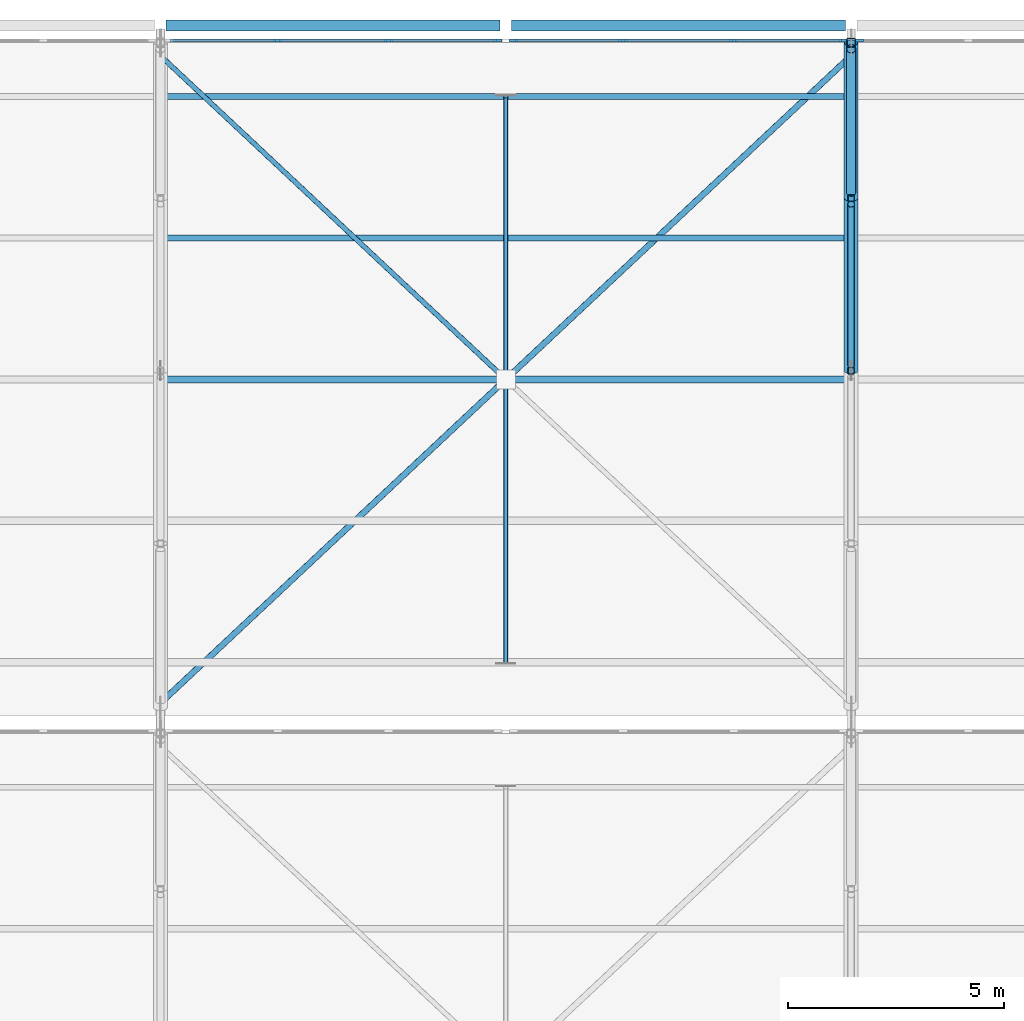
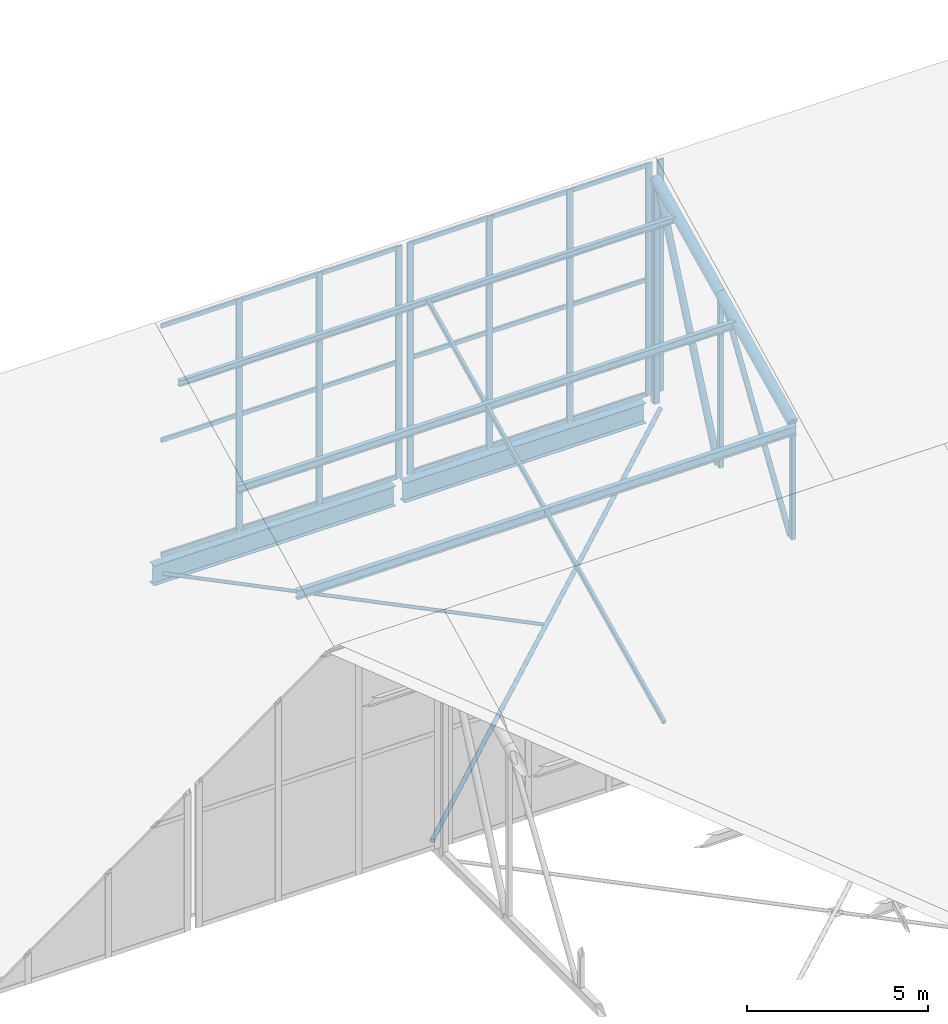
# One storey, part 52 of 137: 36 members, 5 beams, 3 elements without a shape of their own.
"""IFC4 building model written with IfcOpenShell, lengths in metres."""

from ifc_helpers import new_model, si_unit, direction, frame, origin, origin_2d, place, context, subcontext, project, spatial, rectangle, hollow_rectangle, hollow_circle, i_section, extrude, material, layer, layer_set, material_profile, profile_set, type_object, element, aggregate, save


model = new_model("IFC4")

# Units and contexts
model_context = context("Model", 3, precision=1e-05, world=origin(), true_north=direction((0.0, 1.0)))
body_context = subcontext(model_context, "Body", "Model", "MODEL_VIEW")
ifc_project = project(units=[si_unit("LENGTHUNIT", "METRE"), si_unit("AREAUNIT", "SQUARE_METRE"), si_unit("VOLUMEUNIT", "CUBIC_METRE"), si_unit("PLANEANGLEUNIT", "RADIAN"), si_unit("MASSUNIT", "GRAM", prefix="KILO")], contexts=[model_context])

# Site, building, storey
site_placement = place(None, origin())
site = spatial("IfcSite", under=ifc_project, at=site_placement, CompositionType="ELEMENT")
building_placement = place(site_placement, origin())
building = spatial("IfcBuilding", under=site, at=building_placement, Name="Jelvoka-Kovrelna Polytechnic", CompositionType="ELEMENT")
storey_placement = place(building_placement, frame((0.0, 0.0, 9.60009765625)))
storey = spatial("IfcBuildingStorey", under=building, at=storey_placement, Name="L03", CompositionType="ELEMENT", Elevation=9.60009765625)

# Beams
ifc_material_1 = material(Name="Structural steel S355JR", Category="steel")
ifc_material_profile_1 = material_profile(ifc_material_1, i_section(OverallWidth=0.2529296875, OverallDepth=0.677978515625, WebThickness=0.01171875, FlangeThickness=0.01611328125, FilletRadius=0.01513671875, at=origin_2d()), Name="686x254x125 UB")
ifc_profile_set_1 = profile_set([ifc_material_profile_1], Name="Structural steel S355JR")
beam_type_1 = type_object("IfcBeamType", Name="Girder_Steel_UB686", PredefinedType="BEAM", material=ifc_profile_set_1)
beam_1_placement = place(storey_placement, frame((120.132568359375, 120.0, -0.34912109375), z_axis=(1.0, 0.0, 0.0), x_axis=(0.0, 1.0, 0.0)))
element("IfcBeam", 1, at=beam_1_placement, inside=storey, type_object=beam_type_1, Name="L03 beam 0098", PredefinedType="BEAM", context=body_context, shape_type="SweptSolid", body=[
    extrude(i_section(OverallWidth=0.2529296875, OverallDepth=0.677978515625, WebThickness=0.01171875, FlangeThickness=0.01611328125, FilletRadius=0.01513671875, at=origin_2d()), origin(), (0.0, 0.0, 1.0), 7.73486328125),
])
beam_2_placement = place(storey_placement, frame((128.1328125, 120.0, -0.34912109375), z_axis=(1.0, 0.0, 0.0), x_axis=(0.0, 1.0, 0.0)))
element("IfcBeam", 2, at=beam_2_placement, inside=storey, type_object=beam_type_1, Name="L03 beam 0100", PredefinedType="BEAM", context=body_context, shape_type="SweptSolid", body=[
    extrude(i_section(OverallWidth=0.2529296875, OverallDepth=0.677978515625, WebThickness=0.01171875, FlangeThickness=0.01611328125, FilletRadius=0.01513671875, at=origin_2d()), origin(), (0.0, 0.0, 1.0), 7.734375),
])

# Members
ifc_material_2 = material(Name="Structural steel S355J2H", Category="steel")
ifc_material_profile_2 = material_profile(ifc_material_2, hollow_circle(Radius=0.05712890625, WallThickness=0.00634765625, at=origin_2d()), Name="114.3x6.3 CHS")
ifc_profile_set_2 = profile_set([ifc_material_profile_2], Name="Structural steel S355J2H")
member_type_1 = type_object("IfcMemberType", Name="Member_Brace_CHS114", PredefinedType="BRACE", material=ifc_profile_set_2)
member_1_placement = place(storey_placement, frame((120.050048828125, 119.25, 0.14990234375), z_axis=(0.729679522085, -0.683789291412, 0.0), x_axis=(0.683789291412, 0.729679522085, 0.0)))
element("IfcMember", 3, at=member_1_placement, inside=storey, type_object=member_type_1, Name="Sawtooth roof split X-brace half-diagonal 0214", PredefinedType="BRACE", context=body_context, shape_type="SweptSolid", body=[
    extrude(hollow_circle(Radius=0.05712890625, WallThickness=0.00634765625, at=origin_2d()), origin(), (0.0, 0.0, 1.0), 10.80517578125),
])
ifc_material_3 = material(Name="Structural steel S355J2H", Category="steel")
ifc_material_profile_3 = material_profile(ifc_material_3, hollow_circle(Radius=0.06982421875, WallThickness=0.00634765625, at=origin_2d()), Name="139.7x6.3 CHS")
ifc_profile_set_3 = profile_set([ifc_material_profile_3], Name="Structural steel S355J2H")
member_type_2 = type_object("IfcMemberType", Name="Member_Brace_CHS140", PredefinedType="BRACE", material=ifc_profile_set_3)
member_2_placement = place(storey_placement, frame((120.050048828125, 104.35009765625, 0.14990234375), z_axis=(0.72968044266, 0.683788309055, 0.0), x_axis=(-0.683788309055, 0.72968044266, 0.0)))
element("IfcMember", 4, at=member_2_placement, inside=storey, type_object=member_type_2, Name="Sawtooth roof continuous X-brace 0213", PredefinedType="BRACE", context=body_context, shape_type="SweptSolid", body=[
    extrude(hollow_circle(Radius=0.06982421875, WallThickness=0.00634765625, at=origin_2d()), origin(), (0.0, 0.0, 1.0), 21.790283203125),
])
ifc_material_4 = material(Name="Structural steel S355J2H", Category="steel")
ifc_material_profile_4 = material_profile(ifc_material_4, hollow_circle(Radius=0.084228515625, WallThickness=0.008056640625, at=origin_2d()), Name="168.3x8.0 CHS")
ifc_profile_set_4 = profile_set([ifc_material_profile_4], Name="Structural steel S355J2H")
member_type_3 = type_object("IfcMemberType", Name="Member_Brace_CHS168", PredefinedType="BRACE", material=ifc_profile_set_4)
member_3_placement = place(storey_placement, frame((136.0, 112.139892578125, 0.14990234375), z_axis=(0.0, 0.5415746521, 0.840652660855), x_axis=(-1.0, 0.0, 0.0)))
element("IfcMember", 5, at=member_3_placement, inside=storey, type_object=member_type_3, Name="Sawtooth truss 4 diagonal web 2.3", PredefinedType="BRACE", context=body_context, shape_type="SweptSolid", body=[
    extrude(hollow_circle(Radius=0.084228515625, WallThickness=0.008056640625, at=origin_2d()), origin(), (0.0, 0.0, 1.0), 6.869140625),
])
ifc_material_5 = material(Name="Structural steel S355J2H", Category="steel")
ifc_material_profile_5 = material_profile(ifc_material_5, hollow_circle(Radius=0.109619140625, WallThickness=0.008056640625, at=origin_2d()), Name="219.1x8.0 CHS")
ifc_profile_set_5 = profile_set([ifc_material_profile_5], Name="Structural steel S355J2H")
member_type_4 = type_object("IfcMemberType", Name="Member_Brace_CHS219", PredefinedType="BRACE", material=ifc_profile_set_5)
member_4_placement = place(storey_placement, frame((136.0, 116.139892578125, 0.14990234375), z_axis=(0.0, 0.404336237521, 0.914610412705), x_axis=(-1.0, 0.0, 0.0)))
element("IfcMember", 6, at=member_4_placement, inside=storey, type_object=member_type_4, Name="Sawtooth truss 4 diagonal web 2.4", PredefinedType="BRACE", context=body_context, shape_type="SweptSolid", body=[
    extrude(hollow_circle(Radius=0.109619140625, WallThickness=0.008056640625, at=origin_2d()), origin(), (0.0, 0.0, 1.0), 8.211181640625),
])
ifc_material_6 = material(Name="Structural steel S355J2H", Category="steel")
ifc_material_profile_6 = material_profile(ifc_material_6, hollow_circle(Radius=0.161865234375, WallThickness=0.010009765625, at=origin_2d()), Name="323.9x10.0 CHS")
ifc_profile_set_6 = profile_set([ifc_material_profile_6], Name="Structural steel S355J2H")
member_type_5 = type_object("IfcMemberType", Name="Member_Chord_CHS324", PredefinedType="CHORD", material=ifc_profile_set_6)
member_5_placement = place(storey_placement, frame((136.0, 112.0, 4.076416015625), z_axis=(0.0, 0.900820911068, 0.434190840741), x_axis=(-1.0, 0.0, 0.0)))
element("IfcMember", 7, at=member_5_placement, inside=storey, type_object=member_type_5, Name="Sawtooth truss 4 top chord 2.3", PredefinedType="CHORD", context=body_context, shape_type="SweptSolid", body=[
    extrude(hollow_circle(Radius=0.161865234375, WallThickness=0.010009765625, at=origin_2d()), origin(), (0.0, 0.0, 1.0), 4.4404296875),
])
member_6_placement = place(storey_placement, frame((136.0, 116.0, 6.00439453125), z_axis=(0.0, 0.900784896778, 0.434265552095), x_axis=(-1.0, 0.0, 0.0)))
element("IfcMember", 8, at=member_6_placement, inside=storey, type_object=member_type_5, Name="Sawtooth truss 4 top chord 2.4", PredefinedType="CHORD", context=body_context, shape_type="SweptSolid", body=[
    extrude(hollow_circle(Radius=0.161865234375, WallThickness=0.010009765625, at=origin_2d()), origin(), (0.0, 0.0, 1.0), 3.99658203125),
])
ifc_material_7 = material(Name="Structural steel S355J2H", Category="steel")
ifc_material_profile_7 = material_profile(ifc_material_7, hollow_rectangle(XDim=0.14990234375, YDim=0.14990234375, WallThickness=0.008056640625, InnerFilletRadius=0.008056640625, OuterFilletRadius=0.011962890625, at=origin_2d()), Name="150x150x8.0 SHS")
ifc_profile_set_7 = profile_set([ifc_material_profile_7], Name="Structural steel S355J2H")
member_type_6 = type_object("IfcMemberType", Name="Member_Post_SHS150", PredefinedType="POST", material=ifc_profile_set_7)
member_7_placement = place(storey_placement, frame((136.0, 112.0, 0.14990234375), z_axis=(0.0, 0.0, 1.0), x_axis=(1.0, 0.0, 0.0)))
element("IfcMember", 9, at=member_7_placement, inside=storey, type_object=member_type_6, Name="Sawtooth truss 4 web post 2.3", PredefinedType="POST", context=body_context, shape_type="SweptSolid", body=[
    extrude(hollow_rectangle(XDim=0.14990234375, YDim=0.14990234375, WallThickness=0.008056640625, InnerFilletRadius=0.008056640625, OuterFilletRadius=0.011962890625, at=origin_2d()), origin(), (0.0, 0.0, 1.0), 3.926513671875),
])
member_8_placement = place(storey_placement, frame((136.0, 116.0, 0.14990234375), z_axis=(0.0, 0.0, 1.0), x_axis=(1.0, 0.0, 0.0)))
element("IfcMember", 10, at=member_8_placement, inside=storey, type_object=member_type_6, Name="Sawtooth truss 4 web post 2.4", PredefinedType="POST", context=body_context, shape_type="SweptSolid", body=[
    extrude(hollow_rectangle(XDim=0.14990234375, YDim=0.14990234375, WallThickness=0.008056640625, InnerFilletRadius=0.008056640625, OuterFilletRadius=0.011962890625, at=origin_2d()), origin(), (0.0, 0.0, 1.0), 5.8544921875),
])
ifc_material_8 = material(Name="Structural steel S355J2H", Category="steel")
ifc_material_profile_8 = material_profile(ifc_material_8, hollow_rectangle(XDim=0.199951171875, YDim=0.199951171875, WallThickness=0.010009765625, InnerFilletRadius=0.010009765625, OuterFilletRadius=0.014892578125, at=origin_2d()), Name="200x200x10.0 SHS")
ifc_profile_set_8 = profile_set([ifc_material_profile_8], Name="Structural steel S355J2H")
member_type_7 = type_object("IfcMemberType", Name="Member_Post_SHS200", PredefinedType="POST", material=ifc_profile_set_8)
member_9_placement = place(storey_placement, frame((136.0, 119.60009765625, 0.14990234375), z_axis=(0.0, 0.0, 1.0), x_axis=(1.0, 0.0, 0.0)))
element("IfcMember", 11, at=member_9_placement, inside=storey, type_object=member_type_7, Name="Sawtooth truss 4 web post 2.5", PredefinedType="POST", context=body_context, shape_type="SweptSolid", body=[
    extrude(hollow_rectangle(XDim=0.199951171875, YDim=0.199951171875, WallThickness=0.010009765625, InnerFilletRadius=0.010009765625, OuterFilletRadius=0.014892578125, at=origin_2d()), origin(), (0.0, 0.0, 1.0), 7.590087890625),
])
ifc_material_9 = material(Name="Structural steel S355J2H", Category="steel")
ifc_material_profile_9 = material_profile(ifc_material_9, hollow_rectangle(XDim=0.10009765625, YDim=0.14990234375, WallThickness=0.00634765625, InnerFilletRadius=0.00634765625, OuterFilletRadius=0.009521484375, at=origin_2d()), Name="150x100x6.3 RHS")
ifc_profile_set_9 = profile_set([ifc_material_profile_9], Name="Structural steel S355J2H")
member_type_8 = type_object("IfcMemberType", Name="Member_Rafter_RHS150", PredefinedType="RAFTER", material=ifc_profile_set_9)
member_10_placement = place(storey_placement, frame((128.0, 105.248046875, 0.821533203125), z_axis=(0.0, 0.900805023058, 0.434223802243), x_axis=(-1.0, 0.0, 0.0)))
element("IfcMember", 12, at=member_10_placement, inside=storey, type_object=member_type_8, Name="Sawtooth mid-bay secondary rafter 3.2", PredefinedType="RAFTER", context=body_context, shape_type="SweptSolid", body=[
    extrude(hollow_rectangle(XDim=0.10009765625, YDim=0.14990234375, WallThickness=0.00634765625, InnerFilletRadius=0.00634765625, OuterFilletRadius=0.009521484375, at=origin_2d()), origin(), (0.0, 0.0, 1.0), 14.546875),
])

# Curtain wall, members
ifc_material_10 = material(Name="Anodised aluminium 6063-T6", Category="aluminium")
ifc_layer = layer(ifc_material_10, 0.199951171875)
ifc_layer_set = layer_set([ifc_layer], Name="Anodised aluminium 6063-T6")
curtain_wall_type = type_object("IfcCurtainWallType", Name="CW_Clerestory", PredefinedType="NOTDEFINED", material=ifc_layer_set)
curtain_wall_1_placement = place(storey_placement, origin())
curtain_wall_1 = element("IfcCurtainWall", 13, at=curtain_wall_1_placement, inside=storey, type_object=curtain_wall_type, Name="L03 glazed curtain wall 192", PredefinedType="NOTDEFINED")
ifc_material_11 = material(Name="Anodised aluminium 6063-T6", Category="aluminium")
ifc_material_profile_10 = material_profile(ifc_material_11, rectangle(XDim=0.070068359375, YDim=0.199951171875, at=origin_2d()), Name="ALU 70x200")
ifc_profile_set_10 = profile_set([ifc_material_profile_10], Name="Anodised aluminium 6063-T6")
member_type_9 = type_object("IfcMemberType", Name="Mullion_M-03", PredefinedType="MULLION", material=ifc_profile_set_10)
member_11_placement = place(storey_placement, frame((122.716552734375, 119.64990234375, 0.425048828125), z_axis=(0.0, 0.0, 1.0), x_axis=(0.0, 1.0, 0.0)))
member_11 = element("IfcMember", 14, at=member_11_placement, type_object=member_type_9, Name="CW-03 mullion 2", PredefinedType="MULLION", context=body_context, shape_type="SweptSolid", body=[
    extrude(rectangle(XDim=0.070068359375, YDim=0.199951171875, at=origin_2d()), origin(), (0.0, 0.0, 1.0), 7.85009765625),
])
member_12_placement = place(storey_placement, frame((125.283447265625, 119.64990234375, 0.425048828125), z_axis=(0.0, 0.0, 1.0), x_axis=(0.0, 1.0, 0.0)))
member_12 = element("IfcMember", 15, at=member_12_placement, type_object=member_type_9, Name="CW-03 mullion 3", PredefinedType="MULLION", context=body_context, shape_type="SweptSolid", body=[
    extrude(rectangle(XDim=0.070068359375, YDim=0.199951171875, at=origin_2d()), origin(), (0.0, 0.0, 1.0), 7.85009765625),
])
member_13_placement = place(storey_placement, frame((127.81494140625, 119.64990234375, 0.425048828125), z_axis=(0.0, 0.0, 1.0), x_axis=(0.0, 1.0, 0.0)))
member_13 = element("IfcMember", 16, at=member_13_placement, type_object=member_type_9, Name="CW-03 mullion 4", PredefinedType="MULLION", context=body_context, shape_type="SweptSolid", body=[
    extrude(rectangle(XDim=0.070068359375, YDim=0.199951171875, at=origin_2d()), origin(), (0.0, 0.0, 1.0), 7.85009765625),
])

curtain_wall_2_placement = place(storey_placement, origin())
curtain_wall_2 = element("IfcCurtainWall", 17, at=curtain_wall_2_placement, inside=storey, type_object=curtain_wall_type, Name="L03 glazed curtain wall 194", PredefinedType="NOTDEFINED")
member_14_placement = place(storey_placement, frame((128.18505859375, 119.64990234375, 0.425048828125), z_axis=(0.0, 0.0, 1.0), x_axis=(0.0, 1.0, 0.0)))
member_14 = element("IfcMember", 18, at=member_14_placement, type_object=member_type_9, Name="CW-03 mullion 1", PredefinedType="MULLION", context=body_context, shape_type="SweptSolid", body=[
    extrude(rectangle(XDim=0.070068359375, YDim=0.199951171875, at=origin_2d()), origin(), (0.0, 0.0, 1.0), 7.85009765625),
])
member_15_placement = place(storey_placement, frame((130.716552734375, 119.64990234375, 0.425048828125), z_axis=(0.0, 0.0, 1.0), x_axis=(0.0, 1.0, 0.0)))
member_15 = element("IfcMember", 19, at=member_15_placement, type_object=member_type_9, Name="CW-03 mullion 2", PredefinedType="MULLION", context=body_context, shape_type="SweptSolid", body=[
    extrude(rectangle(XDim=0.070068359375, YDim=0.199951171875, at=origin_2d()), origin(), (0.0, 0.0, 1.0), 7.85009765625),
])
member_16_placement = place(storey_placement, frame((133.283447265625, 119.64990234375, 0.425048828125), z_axis=(0.0, 0.0, 1.0), x_axis=(0.0, 1.0, 0.0)))
member_16 = element("IfcMember", 20, at=member_16_placement, type_object=member_type_9, Name="CW-03 mullion 3", PredefinedType="MULLION", context=body_context, shape_type="SweptSolid", body=[
    extrude(rectangle(XDim=0.070068359375, YDim=0.199951171875, at=origin_2d()), origin(), (0.0, 0.0, 1.0), 7.85009765625),
])
member_17_placement = place(storey_placement, frame((135.81494140625, 119.64990234375, 0.425048828125), z_axis=(0.0, 0.0, 1.0), x_axis=(0.0, 1.0, 0.0)))
member_17 = element("IfcMember", 21, at=member_17_placement, type_object=member_type_9, Name="CW-03 mullion 4", PredefinedType="MULLION", context=body_context, shape_type="SweptSolid", body=[
    extrude(rectangle(XDim=0.070068359375, YDim=0.199951171875, at=origin_2d()), origin(), (0.0, 0.0, 1.0), 7.85009765625),
])

# Curtain wall, member
curtain_wall_3_placement = place(storey_placement, origin())
curtain_wall_3 = element("IfcCurtainWall", 22, at=curtain_wall_3_placement, inside=storey, type_object=curtain_wall_type, Name="L03 glazed curtain wall 196", PredefinedType="NOTDEFINED")
member_18_placement = place(storey_placement, frame((136.18505859375, 119.64990234375, 0.425048828125), z_axis=(0.0, 0.0, 1.0), x_axis=(0.0, 1.0, 0.0)))
member_18 = element("IfcMember", 23, at=member_18_placement, type_object=member_type_9, Name="CW-03 mullion 1", PredefinedType="MULLION", context=body_context, shape_type="SweptSolid", body=[
    extrude(rectangle(XDim=0.070068359375, YDim=0.199951171875, at=origin_2d()), origin(), (0.0, 0.0, 1.0), 7.85009765625),
])
aggregate(curtain_wall_3, [member_18])

# Beams
ifc_material_12 = material(Name="Structural steel S355JR", Category="steel")
ifc_material_profile_11 = material_profile(ifc_material_12, i_section(OverallWidth=0.13330078125, OverallDepth=0.203125, WebThickness=0.005615234375, FlangeThickness=0.0078125, FilletRadius=0.007568359375, at=origin_2d()), Name="203x133x25 UB")
ifc_profile_set_11 = profile_set([ifc_material_profile_11], Name="Structural steel S355JR")
beam_type_2 = type_object("IfcBeamType", Name="Purlin_Steel_UB203", PredefinedType="JOIST", material=ifc_profile_set_11)
beam_3_placement = place(storey_placement, frame((120.02001953125, 118.35205078125, 7.13818359375), z_axis=(1.0, 0.0, 0.0), x_axis=(0.0, 1.0, 0.0)))
element("IfcBeam", 24, at=beam_3_placement, inside=storey, type_object=beam_type_2, Name="Sawtooth roof purlin 030", PredefinedType="JOIST", context=body_context, shape_type="SweptSolid", body=[
    extrude(i_section(OverallWidth=0.13330078125, OverallDepth=0.203125, WebThickness=0.005615234375, FlangeThickness=0.0078125, FilletRadius=0.007568359375, at=origin_2d()), origin(), (0.0, 0.0, 1.0), 15.9599609375),
])
ifc_material_13 = material(Name="Structural steel S355JR", Category="steel")
ifc_material_profile_12 = material_profile(ifc_material_13, i_section(OverallWidth=0.14599609375, OverallDepth=0.25146484375, WebThickness=0.006103515625, FlangeThickness=0.008544921875, FilletRadius=0.007568359375, at=origin_2d()), Name="254x146x31 UB")
ifc_profile_set_12 = profile_set([ifc_material_profile_12], Name="Structural steel S355JR")
beam_type_3 = type_object("IfcBeamType", Name="Purlin_Steel_UB254", PredefinedType="JOIST", material=ifc_profile_set_12)
beam_4_placement = place(storey_placement, frame((120.02001953125, 115.075927734375, 5.55908203125), z_axis=(1.0, 0.0, 0.0), x_axis=(0.0, 1.0, 0.0)))
element("IfcBeam", 25, at=beam_4_placement, inside=storey, type_object=beam_type_3, Name="Sawtooth roof purlin 029", PredefinedType="JOIST", context=body_context, shape_type="SweptSolid", body=[
    extrude(i_section(OverallWidth=0.14599609375, OverallDepth=0.25146484375, WebThickness=0.006103515625, FlangeThickness=0.008544921875, FilletRadius=0.007568359375, at=origin_2d()), origin(), (0.0, 0.0, 1.0), 15.9599609375),
])
ifc_material_14 = material(Name="Structural steel S355JR", Category="steel")
ifc_material_profile_13 = material_profile(ifc_material_14, i_section(OverallWidth=0.1650390625, OverallDepth=0.303466796875, WebThickness=0.006103515625, FlangeThickness=0.01025390625, FilletRadius=0.0087890625, at=origin_2d()), Name="305x165x40 UB")
ifc_profile_set_13 = profile_set([ifc_material_profile_13], Name="Structural steel S355JR")
beam_type_4 = type_object("IfcBeamType", Name="Purlin_Steel_UB305", PredefinedType="JOIST", material=ifc_profile_set_13)
beam_5_placement = place(storey_placement, frame((120.02001953125, 111.800048828125, 3.97998046875), z_axis=(1.0, 0.0, 0.0), x_axis=(0.0, 1.0, 0.0)))
element("IfcBeam", 26, at=beam_5_placement, inside=storey, type_object=beam_type_4, Name="Sawtooth roof purlin 028", PredefinedType="JOIST", context=body_context, shape_type="SweptSolid", body=[
    extrude(i_section(OverallWidth=0.1650390625, OverallDepth=0.303466796875, WebThickness=0.006103515625, FlangeThickness=0.01025390625, FilletRadius=0.0087890625, at=origin_2d()), origin(), (0.0, 0.0, 1.0), 15.9599609375),
])

# Member
ifc_material_15 = material(Name="Anodised aluminium 6063-T6", Category="aluminium")
ifc_material_profile_14 = material_profile(ifc_material_15, rectangle(XDim=0.070068359375, YDim=0.14501953125, at=origin_2d()), Name="ALU 70x145")
ifc_profile_set_14 = profile_set([ifc_material_profile_14], Name="Anodised aluminium 6063-T6")
member_type_10 = type_object("IfcMemberType", Name="Transom_T-03", PredefinedType="USERDEFINED", material=ifc_profile_set_14)
member_19_placement = place(storey_placement, frame((120.219970703125, 119.64990234375, 0.48486328125), z_axis=(1.0, 0.0, 0.0), x_axis=(0.0, 1.0, 0.0)))
member_19 = element("IfcMember", 27, at=member_19_placement, type_object=member_type_10, Name="CW-03 transom 1.1", ObjectType="TRANSOM", PredefinedType="USERDEFINED", context=body_context, shape_type="SweptSolid", body=[
    extrude(rectangle(XDim=0.070068359375, YDim=0.14501953125, at=origin_2d()), origin(), (0.0, 0.0, 1.0), 2.461669921875),
])

member_20_placement = place(storey_placement, frame((120.219970703125, 119.64990234375, 4.349853515625), z_axis=(1.0, 0.0, 0.0), x_axis=(0.0, 1.0, 0.0)))
member_20 = element("IfcMember", 28, at=member_20_placement, type_object=member_type_10, Name="CW-03 transom 1.2", ObjectType="TRANSOM", PredefinedType="USERDEFINED", context=body_context, shape_type="SweptSolid", body=[
    extrude(rectangle(XDim=0.070068359375, YDim=0.14501953125, at=origin_2d()), origin(), (0.0, 0.0, 1.0), 2.461669921875),
])

member_21_placement = place(storey_placement, frame((120.219970703125, 119.64990234375, 8.21484375), z_axis=(1.0, 0.0, 0.0), x_axis=(0.0, 1.0, 0.0)))
member_21 = element("IfcMember", 29, at=member_21_placement, type_object=member_type_10, Name="CW-03 transom 1.3", ObjectType="TRANSOM", PredefinedType="USERDEFINED", context=body_context, shape_type="SweptSolid", body=[
    extrude(rectangle(XDim=0.070068359375, YDim=0.14501953125, at=origin_2d()), origin(), (0.0, 0.0, 1.0), 2.461669921875),
])

member_22_placement = place(storey_placement, frame((122.751708984375, 119.64990234375, 0.48486328125), z_axis=(1.0, 0.0, 0.0), x_axis=(0.0, 1.0, 0.0)))
member_22 = element("IfcMember", 30, at=member_22_placement, type_object=member_type_10, Name="CW-03 transom 2.1", ObjectType="TRANSOM", PredefinedType="USERDEFINED", context=body_context, shape_type="SweptSolid", body=[
    extrude(rectangle(XDim=0.070068359375, YDim=0.14501953125, at=origin_2d()), origin(), (0.0, 0.0, 1.0), 2.49658203125),
])

member_23_placement = place(storey_placement, frame((122.751708984375, 119.64990234375, 4.349853515625), z_axis=(1.0, 0.0, 0.0), x_axis=(0.0, 1.0, 0.0)))
member_23 = element("IfcMember", 31, at=member_23_placement, type_object=member_type_10, Name="CW-03 transom 2.2", ObjectType="TRANSOM", PredefinedType="USERDEFINED", context=body_context, shape_type="SweptSolid", body=[
    extrude(rectangle(XDim=0.070068359375, YDim=0.14501953125, at=origin_2d()), origin(), (0.0, 0.0, 1.0), 2.49658203125),
])

member_24_placement = place(storey_placement, frame((122.751708984375, 119.64990234375, 8.21484375), z_axis=(1.0, 0.0, 0.0), x_axis=(0.0, 1.0, 0.0)))
member_24 = element("IfcMember", 32, at=member_24_placement, type_object=member_type_10, Name="CW-03 transom 2.3", ObjectType="TRANSOM", PredefinedType="USERDEFINED", context=body_context, shape_type="SweptSolid", body=[
    extrude(rectangle(XDim=0.070068359375, YDim=0.14501953125, at=origin_2d()), origin(), (0.0, 0.0, 1.0), 2.49658203125),
])

member_25_placement = place(storey_placement, frame((125.318359375, 119.64990234375, 0.48486328125), z_axis=(1.0, 0.0, 0.0), x_axis=(0.0, 1.0, 0.0)))
member_25 = element("IfcMember", 33, at=member_25_placement, type_object=member_type_10, Name="CW-03 transom 3.1", ObjectType="TRANSOM", PredefinedType="USERDEFINED", context=body_context, shape_type="SweptSolid", body=[
    extrude(rectangle(XDim=0.070068359375, YDim=0.14501953125, at=origin_2d()), origin(), (0.0, 0.0, 1.0), 2.461669921875),
])

member_26_placement = place(storey_placement, frame((125.318359375, 119.64990234375, 4.349853515625), z_axis=(1.0, 0.0, 0.0), x_axis=(0.0, 1.0, 0.0)))
member_26 = element("IfcMember", 34, at=member_26_placement, type_object=member_type_10, Name="CW-03 transom 3.2", ObjectType="TRANSOM", PredefinedType="USERDEFINED", context=body_context, shape_type="SweptSolid", body=[
    extrude(rectangle(XDim=0.070068359375, YDim=0.14501953125, at=origin_2d()), origin(), (0.0, 0.0, 1.0), 2.461669921875),
])

member_27_placement = place(storey_placement, frame((125.318359375, 119.64990234375, 8.21484375), z_axis=(1.0, 0.0, 0.0), x_axis=(0.0, 1.0, 0.0)))
member_27 = element("IfcMember", 35, at=member_27_placement, type_object=member_type_10, Name="CW-03 transom 3.3", ObjectType="TRANSOM", PredefinedType="USERDEFINED", context=body_context, shape_type="SweptSolid", body=[
    extrude(rectangle(XDim=0.070068359375, YDim=0.14501953125, at=origin_2d()), origin(), (0.0, 0.0, 1.0), 2.461669921875),
])

aggregate(curtain_wall_1, [member_11, member_12, member_13, member_19, member_20, member_21, member_22, member_23, member_24, member_25, member_26, member_27])

member_28_placement = place(storey_placement, frame((128.219970703125, 119.64990234375, 0.48486328125), z_axis=(1.0, 0.0, 0.0), x_axis=(0.0, 1.0, 0.0)))
member_28 = element("IfcMember", 36, at=member_28_placement, type_object=member_type_10, Name="CW-03 transom 1.1", ObjectType="TRANSOM", PredefinedType="USERDEFINED", context=body_context, shape_type="SweptSolid", body=[
    extrude(rectangle(XDim=0.070068359375, YDim=0.14501953125, at=origin_2d()), origin(), (0.0, 0.0, 1.0), 2.461669921875),
])

member_29_placement = place(storey_placement, frame((128.219970703125, 119.64990234375, 4.349853515625), z_axis=(1.0, 0.0, 0.0), x_axis=(0.0, 1.0, 0.0)))
member_29 = element("IfcMember", 37, at=member_29_placement, type_object=member_type_10, Name="CW-03 transom 1.2", ObjectType="TRANSOM", PredefinedType="USERDEFINED", context=body_context, shape_type="SweptSolid", body=[
    extrude(rectangle(XDim=0.070068359375, YDim=0.14501953125, at=origin_2d()), origin(), (0.0, 0.0, 1.0), 2.461669921875),
])

member_30_placement = place(storey_placement, frame((128.219970703125, 119.64990234375, 8.21484375), z_axis=(1.0, 0.0, 0.0), x_axis=(0.0, 1.0, 0.0)))
member_30 = element("IfcMember", 38, at=member_30_placement, type_object=member_type_10, Name="CW-03 transom 1.3", ObjectType="TRANSOM", PredefinedType="USERDEFINED", context=body_context, shape_type="SweptSolid", body=[
    extrude(rectangle(XDim=0.070068359375, YDim=0.14501953125, at=origin_2d()), origin(), (0.0, 0.0, 1.0), 2.461669921875),
])

member_31_placement = place(storey_placement, frame((130.751708984375, 119.64990234375, 0.48486328125), z_axis=(1.0, 0.0, 0.0), x_axis=(0.0, 1.0, 0.0)))
member_31 = element("IfcMember", 39, at=member_31_placement, type_object=member_type_10, Name="CW-03 transom 2.1", ObjectType="TRANSOM", PredefinedType="USERDEFINED", context=body_context, shape_type="SweptSolid", body=[
    extrude(rectangle(XDim=0.070068359375, YDim=0.14501953125, at=origin_2d()), origin(), (0.0, 0.0, 1.0), 2.49658203125),
])

member_32_placement = place(storey_placement, frame((130.751708984375, 119.64990234375, 4.349853515625), z_axis=(1.0, 0.0, 0.0), x_axis=(0.0, 1.0, 0.0)))
member_32 = element("IfcMember", 40, at=member_32_placement, type_object=member_type_10, Name="CW-03 transom 2.2", ObjectType="TRANSOM", PredefinedType="USERDEFINED", context=body_context, shape_type="SweptSolid", body=[
    extrude(rectangle(XDim=0.070068359375, YDim=0.14501953125, at=origin_2d()), origin(), (0.0, 0.0, 1.0), 2.49658203125),
])

member_33_placement = place(storey_placement, frame((130.751708984375, 119.64990234375, 8.21484375), z_axis=(1.0, 0.0, 0.0), x_axis=(0.0, 1.0, 0.0)))
member_33 = element("IfcMember", 41, at=member_33_placement, type_object=member_type_10, Name="CW-03 transom 2.3", ObjectType="TRANSOM", PredefinedType="USERDEFINED", context=body_context, shape_type="SweptSolid", body=[
    extrude(rectangle(XDim=0.070068359375, YDim=0.14501953125, at=origin_2d()), origin(), (0.0, 0.0, 1.0), 2.49658203125),
])

member_34_placement = place(storey_placement, frame((133.318359375, 119.64990234375, 0.48486328125), z_axis=(1.0, 0.0, 0.0), x_axis=(0.0, 1.0, 0.0)))
member_34 = element("IfcMember", 42, at=member_34_placement, type_object=member_type_10, Name="CW-03 transom 3.1", ObjectType="TRANSOM", PredefinedType="USERDEFINED", context=body_context, shape_type="SweptSolid", body=[
    extrude(rectangle(XDim=0.070068359375, YDim=0.14501953125, at=origin_2d()), origin(), (0.0, 0.0, 1.0), 2.461669921875),
])

member_35_placement = place(storey_placement, frame((133.318359375, 119.64990234375, 4.349853515625), z_axis=(1.0, 0.0, 0.0), x_axis=(0.0, 1.0, 0.0)))
member_35 = element("IfcMember", 43, at=member_35_placement, type_object=member_type_10, Name="CW-03 transom 3.2", ObjectType="TRANSOM", PredefinedType="USERDEFINED", context=body_context, shape_type="SweptSolid", body=[
    extrude(rectangle(XDim=0.070068359375, YDim=0.14501953125, at=origin_2d()), origin(), (0.0, 0.0, 1.0), 2.461669921875),
])

member_36_placement = place(storey_placement, frame((133.318359375, 119.64990234375, 8.21484375), z_axis=(1.0, 0.0, 0.0), x_axis=(0.0, 1.0, 0.0)))
member_36 = element("IfcMember", 44, at=member_36_placement, type_object=member_type_10, Name="CW-03 transom 3.3", ObjectType="TRANSOM", PredefinedType="USERDEFINED", context=body_context, shape_type="SweptSolid", body=[
    extrude(rectangle(XDim=0.070068359375, YDim=0.14501953125, at=origin_2d()), origin(), (0.0, 0.0, 1.0), 2.461669921875),
])

aggregate(curtain_wall_2, [member_14, member_15, member_16, member_17, member_28, member_29, member_30, member_31, member_32, member_33, member_34, member_35, member_36])

save(model, "model.ifc")
